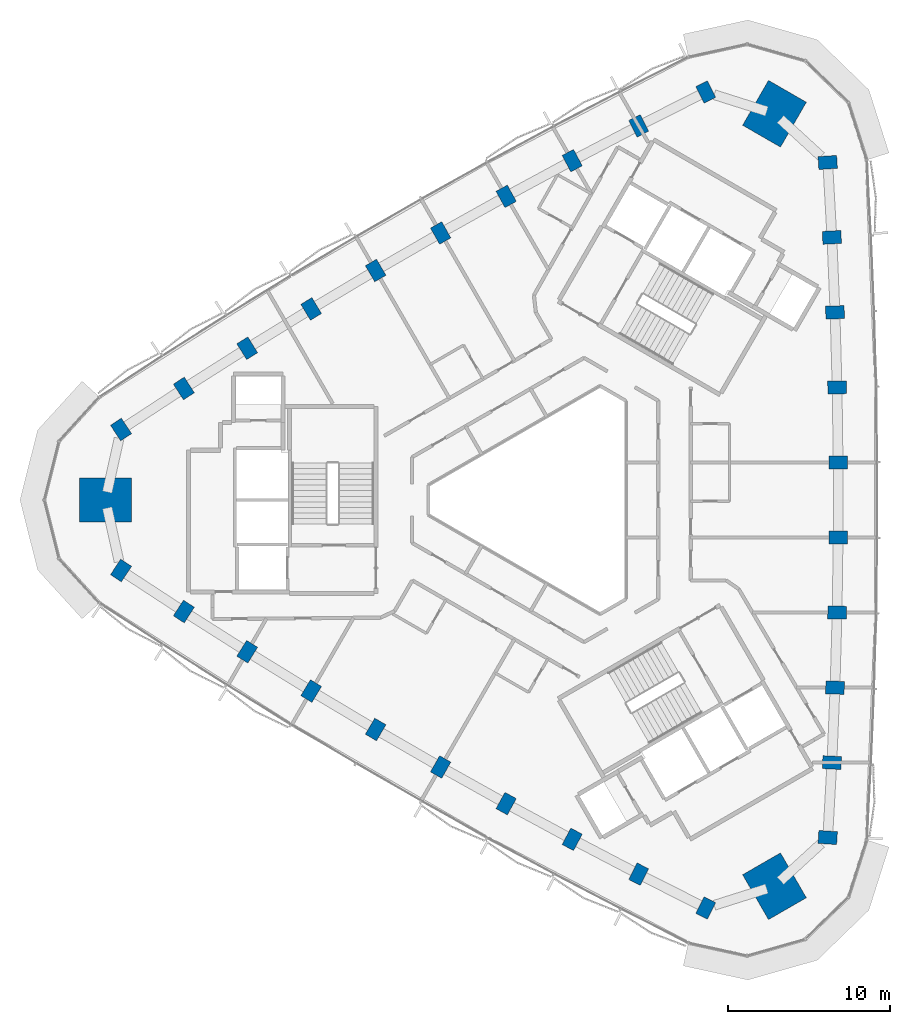
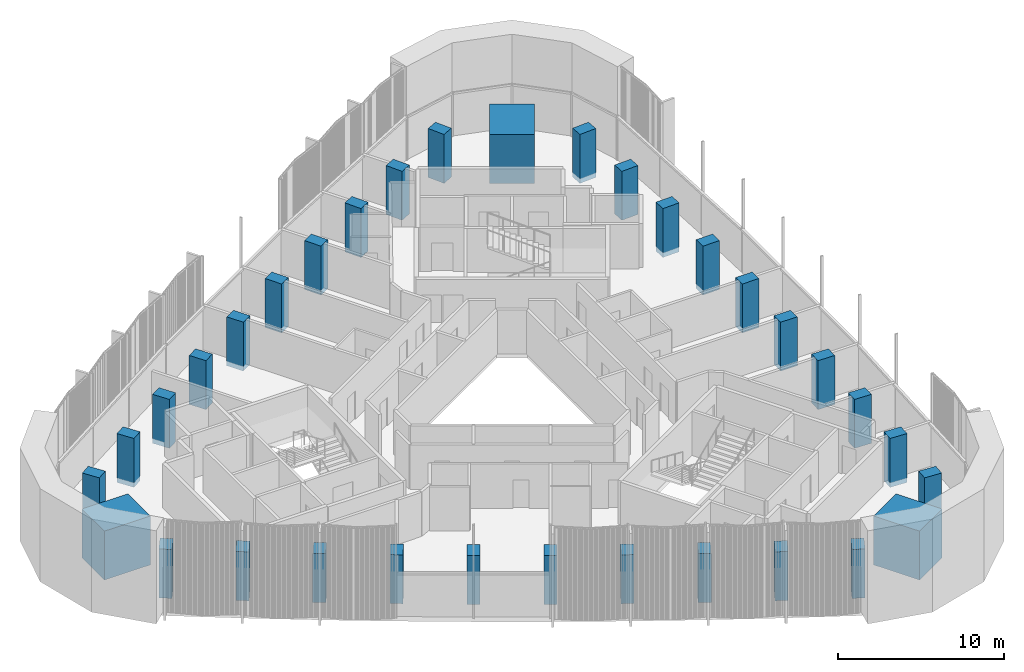
# One storey, part 1 of 14: 33 columns.
"""IFC4 building model written with IfcOpenShell, lengths in metres."""

from ifc_helpers import new_model, si_unit, direction, frame, origin, origin_2d, place, context, subcontext, project, spatial, rectangle, extrude, material, material_profile, profile_set, type_object, element, save


model = new_model("IFC4")

# Units and contexts
model_context = context("Model", 3, precision=1e-05, world=origin(), true_north=direction((0.0, 1.0)))
body_context = subcontext(model_context, "Body", "Model", "MODEL_VIEW")
ifc_project = project(units=[si_unit("LENGTHUNIT", "METRE"), si_unit("AREAUNIT", "SQUARE_METRE"), si_unit("VOLUMEUNIT", "CUBIC_METRE"), si_unit("PLANEANGLEUNIT", "RADIAN"), si_unit("MASSUNIT", "GRAM", prefix="KILO")], contexts=[model_context])

# Site, building, storey
site_placement = place(None, origin())
site = spatial("IfcSite", under=ifc_project, at=site_placement, CompositionType="ELEMENT")
building_placement = place(site_placement, origin())
building = spatial("IfcBuilding", under=site, at=building_placement, Name="Tamra Quay Hotel Tower", CompositionType="ELEMENT")
storey_placement = place(building_placement, frame((0.0, 0.0, 197.199951171875)))
storey = spatial("IfcBuildingStorey", under=building, at=storey_placement, Name="L49", CompositionType="ELEMENT", Elevation=197.199951171875)

# Columns
ifc_material = material(Name="Concrete M70", Category="concrete")
ifc_material_profile_1 = material_profile(ifc_material, rectangle(XDim=1.14990234375, YDim=0.800048828125, at=origin_2d()), Name="COLUMN RC 800x1150 Z4")
ifc_profile_set_1 = profile_set([ifc_material_profile_1], Name="Concrete M70")
column_type_1 = type_object("IfcColumnType", Name="COLUMN RC 800x1150 Z4", PredefinedType="COLUMN", material=ifc_profile_set_1)
for number, where, z_axis, x_axis, name in (
    (1, (17.069580078125, -20.856201171875, -0.349853515625), (0.0, 0.0, 1.0), (-0.998081035395, 0.061921295089, 0.0), "COL-C4E01-L49"),
    (2, (17.326416015625, -16.2255859375, -0.349853515625), (0.0, 0.0, 1.0), (-0.998830734492, 0.048344222345, 0.0), "COL-C4E02-L49"),
    (3, (17.519287109375, -11.592041015625, -0.349853515625), (0.0, 0.0, 1.0), (-0.999411600314, 0.034299462929, 0.0), "COL-C4E03-L49"),
    (4, (17.648193359375, -6.955810546875, -0.349853515625), (0.0, 0.0, 1.0), (-0.99977704996, 0.021115169271, 0.0), "COL-C4E04-L49"),
    (5, (17.71240234375, -2.318603515625, -0.349853515625), (0.0, 0.0, 1.0), (-0.999975214668, 0.007040600034, 0.0), "COL-C4E05-L49"),
    (6, (17.71240234375, 2.318603515625, -0.349853515625), (0.0, 0.0, 1.0), (0.999975214668, 0.007040600034, 0.0), "COL-C4E06-L49"),
    (7, (17.648193359375, 6.955810546875, -0.349853515625), (0.0, 0.0, 1.0), (0.99977704996, 0.021115169271, 0.0), "COL-C4E07-L49"),
    (8, (17.519287109375, 11.592041015625, -0.349853515625), (0.0, 0.0, 1.0), (0.999411600314, 0.034299462929, 0.0), "COL-C4E08-L49"),
    (9, (17.326416015625, 16.2255859375, -0.349853515625), (0.0, 0.0, 1.0), (0.998830734492, 0.048344222345, 0.0), "COL-C4E09-L49"),
    (10, (17.069580078125, 20.856201171875, -0.349853515625), (0.0, 0.0, 1.0), (0.998081035395, 0.061921295089, 0.0), "COL-C4E10-L49"),
    (11, (9.527099609375, 25.210693359375, -0.349853515625), (0.0, 0.0, 1.0), (-0.445415103115, 0.895324179232, 0.0), "COL-C4NW01-L49"),
    (12, (5.388427734375, 23.117919921875, -0.349853515625), (0.0, 0.0, 1.0), (-0.457548042569, 0.889184901323, 0.0), "COL-C4NW02-L49"),
    (13, (1.279296875, 20.96826171875, -0.349853515625), (0.0, 0.0, 1.0), (-0.470001593924, 0.882665566174, 0.0), "COL-C4NW03-L49"),
    (14, (-2.80029296875, 18.76171875, -0.349853515625), (0.0, 0.0, 1.0), (-0.481602251986, 0.876389908021, 0.0), "COL-C4NW04-L49"),
    (15, (-6.84814453125, 16.498779296875, -0.349853515625), (0.0, 0.0, 1.0), (-0.493890268847, 0.869524239075, 0.0), "COL-C4NW05-L49"),
    (16, (-10.8642578125, 14.18017578125, -0.349853515625), (0.0, 0.0, 1.0), (-0.506084945822, 0.862483639041, 0.0), "COL-C4NW06-L49"),
    (17, (-14.847900390625, 11.805908203125, -0.349853515625), (0.0, 0.0, 1.0), (-0.518174797974, 0.855274738751, 0.0), "COL-C4NW07-L49"),
    (18, (-18.798583984375, 9.376220703125, -0.349853515625), (0.0, 0.0, 1.0), (-0.52941000639, 0.848366103245, 0.0), "COL-C4NW08-L49"),
    (19, (-22.71484375, 6.892333984375, -0.349853515625), (0.0, 0.0, 1.0), (-0.541282691923, 0.840840678978, 0.0), "COL-C4NW09-L49"),
    (20, (-26.5966796875, 4.3544921875, -0.349853515625), (0.0, 0.0, 1.0), (-0.55266593228, 0.833402884143, 0.0), "COL-C4NW10-L49"),
    (21, (-26.5966796875, -4.3544921875, -0.349853515625), (0.0, 0.0, 1.0), (0.55266593228, 0.833402884143, 0.0), "COL-C4SW01-L49"),
    (22, (-22.71484375, -6.892333984375, -0.349853515625), (0.0, 0.0, 1.0), (0.541282691923, 0.840840678978, 0.0), "COL-C4SW02-L49"),
    (23, (-18.798583984375, -9.376220703125, -0.349853515625), (0.0, 0.0, 1.0), (0.52941000639, 0.848366103245, 0.0), "COL-C4SW03-L49"),
    (24, (-14.847900390625, -11.805908203125, -0.349853515625), (0.0, 0.0, 1.0), (0.518174797974, 0.855274738751, 0.0), "COL-C4SW04-L49"),
    (25, (-10.8642578125, -14.18017578125, -0.349853515625), (0.0, 0.0, 1.0), (0.506084945822, 0.862483639041, 0.0), "COL-C4SW05-L49"),
    (26, (-6.84814453125, -16.498779296875, -0.349853515625), (0.0, 0.0, 1.0), (0.493890268847, 0.869524239075, 0.0), "COL-C4SW06-L49"),
    (27, (-2.80029296875, -18.76171875, -0.349853515625), (0.0, 0.0, 1.0), (0.481602251986, 0.876389908021, 0.0), "COL-C4SW07-L49"),
    (28, (1.279296875, -20.96826171875, -0.349853515625), (0.0, 0.0, 1.0), (0.470001593924, 0.882665566174, 0.0), "COL-C4SW08-L49"),
    (29, (5.388427734375, -23.117919921875, -0.349853515625), (0.0, 0.0, 1.0), (0.457548042569, 0.889184901323, 0.0), "COL-C4SW09-L49"),
    (30, (9.527099609375, -25.210693359375, -0.349853515625), (0.0, 0.0, 1.0), (0.445415103115, 0.895324179232, 0.0), "COL-C4SW10-L49"),
):
    element("IfcColumn", number, at=place(storey_placement, frame(where, z_axis=z_axis, x_axis=x_axis)), inside=storey, type_object=column_type_1, Name=name, PredefinedType="COLUMN", context=body_context, shape_type="SweptSolid", body=[
        extrude(rectangle(XDim=1.14990234375, YDim=0.800048828125, at=origin_2d()), origin(), (0.0, 0.0, 1.0), 3.599853515625),
    ])
ifc_material_profile_2 = material_profile(ifc_material, rectangle(XDim=3.199951171875, YDim=2.699951171875, at=origin_2d()), Name="MEGA COLUMN RC 2700x3200 Z4")
ifc_profile_set_2 = profile_set([ifc_material_profile_2], Name="Concrete M70")
column_type_2 = type_object("IfcColumnType", Name="MEGA COLUMN RC 2700x3200 Z4", PredefinedType="COLUMN", material=ifc_profile_set_2)
for number, where, z_axis, x_axis, name in (
    (31, (13.779541015625, 23.86669921875, -0.349853515625), (0.0, 0.0, 1.0), (0.5, 0.866025403784, 0.0), "COL-M4NE-L49"),
    (32, (-27.55908203125, 0.0, -0.349853515625), (0.0, 0.0, 1.0), (1.0, 0.0, 0.0), "COL-M4W-L49"),
    (33, (13.779541015625, -23.86669921875, -0.349853515625), (0.0, 0.0, 1.0), (-0.5, 0.866025403784, 0.0), "COL-M4SE-L49"),
):
    element("IfcColumn", number, at=place(storey_placement, frame(where, z_axis=z_axis, x_axis=x_axis)), inside=storey, type_object=column_type_2, Name=name, PredefinedType="COLUMN", context=body_context, shape_type="SweptSolid", body=[
        extrude(rectangle(XDim=3.199951171875, YDim=2.699951171875, at=origin_2d()), origin(), (0.0, 0.0, 1.0), 3.599853515625),
    ])

save(model, "model.ifc")
